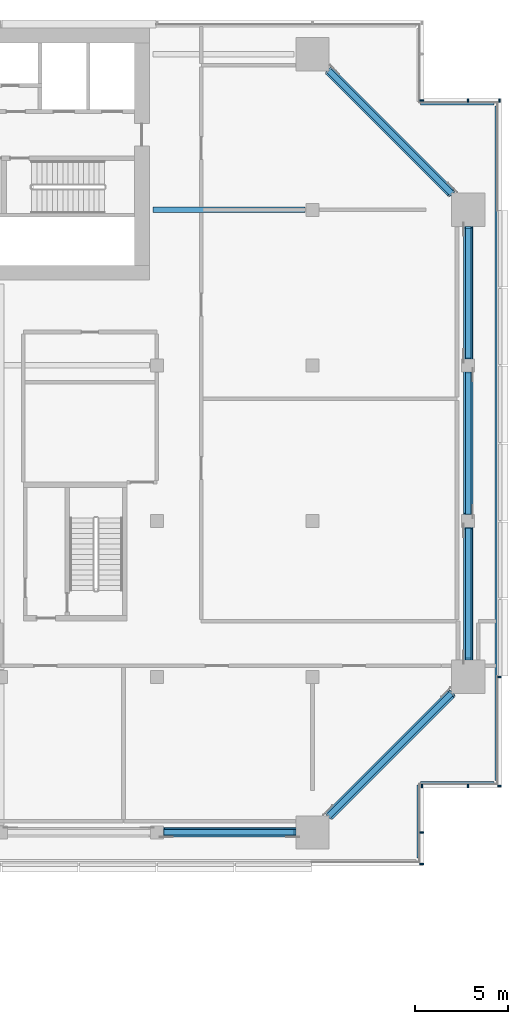
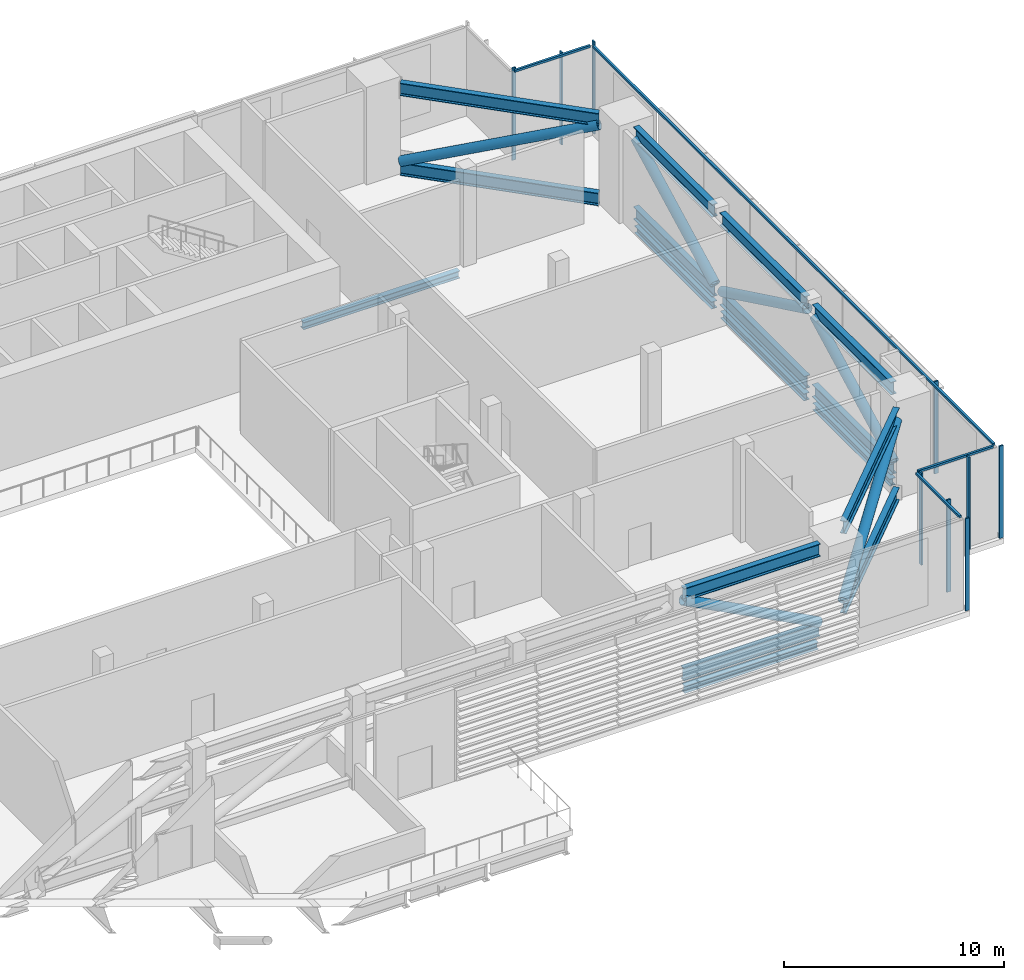
# One storey, part 9 of 29: 31 members, 5 beams, 5 elements without a shape of their own.
"""IFC4 building model written with IfcOpenShell, lengths in metres."""

from ifc_helpers import new_model, si_unit, direction, frame, origin, origin_2d, place, context, subcontext, project, spatial, rectangle, hollow_circle, i_section, extrude, material, material_profile, profile_set, type_object, element, aggregate, save


model = new_model("IFC4")

# Units and contexts
model_context = context("Model", 3, precision=1e-05, world=origin(), true_north=direction((0.0, 1.0)))
body_context = subcontext(model_context, "Body", "Model", "MODEL_VIEW")
ifc_project = project(units=[si_unit("LENGTHUNIT", "METRE"), si_unit("AREAUNIT", "SQUARE_METRE"), si_unit("VOLUMEUNIT", "CUBIC_METRE"), si_unit("PLANEANGLEUNIT", "RADIAN"), si_unit("MASSUNIT", "GRAM", prefix="KILO")], contexts=[model_context])

# Site, building, storey
site_placement = place(None, origin())
site = spatial("IfcSite", under=ifc_project, at=site_placement, CompositionType="ELEMENT")
building_placement = place(site_placement, origin())
building = spatial("IfcBuilding", under=site, at=building_placement, Name="Saffron Gate Tower", CompositionType="ELEMENT")
storey_placement = place(building_placement, frame((0.0, 0.0, 142.050048828125)))
storey = spatial("IfcBuildingStorey", under=building, at=storey_placement, Name="L34", CompositionType="ELEMENT", Elevation=142.050048828125)

# Beams
ifc_material_1 = material(Name="Structural steel S355", Category="steel")
ifc_material_profile_1 = material_profile(ifc_material_1, i_section(OverallWidth=0.300048828125, OverallDepth=0.39990234375, WebThickness=0.013427734375, FlangeThickness=0.02392578125, FilletRadius=0.027099609375, at=origin_2d()))
ifc_profile_set_1 = profile_set([ifc_material_profile_1], Name="Structural steel S355")
beam_type_1 = type_object("IfcBeamType", Name="B2 HEB 400", PredefinedType="BEAM", material=ifc_profile_set_1)
beam_1_placement = place(storey_placement, frame((116.60009765625, 65.39990234375, -0.5), z_axis=(-1.0, 0.0, 0.0), x_axis=(0.0, -1.0, 0.0)))
element("IfcBeam", 1, at=beam_1_placement, inside=storey, type_object=beam_type_1, Name="B2 CORE TIE BEAM", PredefinedType="BEAM", context=body_context, shape_type="SweptSolid", body=[
    extrude(i_section(OverallWidth=0.300048828125, OverallDepth=0.39990234375, WebThickness=0.013427734375, FlangeThickness=0.02392578125, FilletRadius=0.027099609375, at=origin_2d()), origin(), (0.0, 0.0, 1.0), 8.2001953125),
])
ifc_material_profile_2 = material_profile(ifc_material_1, i_section(OverallWidth=0.300048828125, OverallDepth=0.39990234375, WebThickness=0.013427734375, FlangeThickness=0.02392578125, FilletRadius=0.027099609375, at=origin_2d()))
ifc_profile_set_2 = profile_set([ifc_material_profile_2], Name="Structural steel S355")
beam_type_2 = type_object("IfcBeamType", Name="B3 HEB 400", PredefinedType="SPANDREL", material=ifc_profile_set_2)
for number, where, z_axis, x_axis, name in (
    (2, (109.0, 31.800048828125, -0.5), (1.0, 0.0, 0.0), (0.0, 1.0, 0.0), "B3 SPANDREL BEAM"),
    (3, (125.39990234375, 41.199951171875, -0.5), (0.0, 1.0, 0.0), (-1.0, 0.0, 0.0), "B3 SPANDREL BEAM"),
):
    element("IfcBeam", number, at=place(storey_placement, frame(where, z_axis=z_axis, x_axis=x_axis)), inside=storey, type_object=beam_type_2, Name=name, PredefinedType="SPANDREL", context=body_context, shape_type="SweptSolid", body=[
        extrude(i_section(OverallWidth=0.300048828125, OverallDepth=0.39990234375, WebThickness=0.013427734375, FlangeThickness=0.02392578125, FilletRadius=0.027099609375, at=origin_2d()), origin(), (0.0, 0.0, 1.0), 7.0),
    ])
beam_2_placement = place(storey_placement, frame((125.39990234375, 49.0, -0.5), z_axis=(0.0, 1.0, 0.0), x_axis=(-1.0, 0.0, 0.0)))
element("IfcBeam", 4, at=beam_2_placement, inside=storey, type_object=beam_type_2, Name="B3 SPANDREL BEAM", PredefinedType="SPANDREL", context=body_context, shape_type="SweptSolid", body=[
    extrude(i_section(OverallWidth=0.300048828125, OverallDepth=0.39990234375, WebThickness=0.013427734375, FlangeThickness=0.02392578125, FilletRadius=0.027099609375, at=origin_2d()), origin(), (0.0, 0.0, 1.0), 7.60009765625),
])
beam_3_placement = place(storey_placement, frame((125.39990234375, 57.39990234375, -0.5), z_axis=(0.0, 1.0, 0.0), x_axis=(-1.0, 0.0, 0.0)))
element("IfcBeam", 5, at=beam_3_placement, inside=storey, type_object=beam_type_2, Name="B3 SPANDREL BEAM", PredefinedType="SPANDREL", context=body_context, shape_type="SweptSolid", body=[
    extrude(i_section(OverallWidth=0.300048828125, OverallDepth=0.39990234375, WebThickness=0.013427734375, FlangeThickness=0.02392578125, FilletRadius=0.027099609375, at=origin_2d()), origin(), (0.0, 0.0, 1.0), 7.0),
])

# Members
ifc_material_profile_3 = material_profile(ifc_material_1, i_section(OverallWidth=0.300048828125, OverallDepth=0.699951171875, WebThickness=0.01708984375, FlangeThickness=0.031982421875, FilletRadius=0.027099609375, at=origin_2d()))
ifc_profile_set_3 = profile_set([ifc_material_profile_3], Name="Structural steel S355")
member_type_1 = type_object("IfcMemberType", Name="BT1 HEB 700", PredefinedType="CHORD", material=ifc_profile_set_3)
for number, where, z_axis, x_axis, name in (
    (6, (108.949951171875, 31.800048828125, 4.77001953125), (1.0, 0.0, 0.0), (0.0, 1.0, 0.0), "BT1 BELT TRUSS TOP CHORD"),
    (7, (108.949951171875, 31.800048828125, 0.349853515625), (1.0, 0.0, 0.0), (0.0, 1.0, 0.0), "BT1 BELT TRUSS BOTTOM CHORD"),
):
    element("IfcMember", number, at=place(storey_placement, frame(where, z_axis=z_axis, x_axis=x_axis)), inside=storey, type_object=member_type_1, Name=name, PredefinedType="CHORD", context=body_context, shape_type="SweptSolid", body=[
        extrude(i_section(OverallWidth=0.300048828125, OverallDepth=0.699951171875, WebThickness=0.01708984375, FlangeThickness=0.031982421875, FilletRadius=0.027099609375, at=origin_2d()), origin(), (0.0, 0.0, 1.0), 7.150146484375),
    ])
for number, where, z_axis, x_axis, name in (
    (8, (125.39990234375, 41.10009765625, 4.77001953125), (0.0, 1.0, 0.0), (-1.0, 0.0, 0.0), "BT1 BELT TRUSS TOP CHORD"),
    (9, (125.39990234375, 41.10009765625, 0.349853515625), (0.0, 1.0, 0.0), (-1.0, 0.0, 0.0), "BT1 BELT TRUSS BOTTOM CHORD"),
):
    element("IfcMember", number, at=place(storey_placement, frame(where, z_axis=z_axis, x_axis=x_axis)), inside=storey, type_object=member_type_1, Name=name, PredefinedType="CHORD", context=body_context, shape_type="SweptSolid", body=[
        extrude(i_section(OverallWidth=0.300048828125, OverallDepth=0.699951171875, WebThickness=0.01708984375, FlangeThickness=0.031982421875, FilletRadius=0.027099609375, at=origin_2d()), origin(), (0.0, 0.0, 1.0), 7.14990234375),
    ])
for number, where, z_axis, x_axis, name in (
    (10, (125.39990234375, 48.949951171875, 4.77001953125), (0.0, 1.0, 0.0), (-1.0, 0.0, 0.0), "BT1 BELT TRUSS TOP CHORD"),
    (11, (125.39990234375, 48.949951171875, 0.349853515625), (0.0, 1.0, 0.0), (-1.0, 0.0, 0.0), "BT1 BELT TRUSS BOTTOM CHORD"),
):
    element("IfcMember", number, at=place(storey_placement, frame(where, z_axis=z_axis, x_axis=x_axis)), inside=storey, type_object=member_type_1, Name=name, PredefinedType="CHORD", context=body_context, shape_type="SweptSolid", body=[
        extrude(i_section(OverallWidth=0.300048828125, OverallDepth=0.699951171875, WebThickness=0.01708984375, FlangeThickness=0.031982421875, FilletRadius=0.027099609375, at=origin_2d()), origin(), (0.0, 0.0, 1.0), 7.699951171875),
    ])
for number, where, z_axis, x_axis, name in (
    (12, (125.39990234375, 57.35009765625, 4.77001953125), (0.0, 1.0, 0.0), (-1.0, 0.0, 0.0), "BT1 BELT TRUSS TOP CHORD"),
    (13, (125.39990234375, 57.35009765625, 0.349853515625), (0.0, 1.0, 0.0), (-1.0, 0.0, 0.0), "BT1 BELT TRUSS BOTTOM CHORD"),
):
    element("IfcMember", number, at=place(storey_placement, frame(where, z_axis=z_axis, x_axis=x_axis)), inside=storey, type_object=member_type_1, Name=name, PredefinedType="CHORD", context=body_context, shape_type="SweptSolid", body=[
        extrude(i_section(OverallWidth=0.300048828125, OverallDepth=0.699951171875, WebThickness=0.01708984375, FlangeThickness=0.031982421875, FilletRadius=0.027099609375, at=origin_2d()), origin(), (0.0, 0.0, 1.0), 7.14990234375),
    ])
for number, where, z_axis, x_axis, name in (
    (14, (117.89990234375, 32.699951171875, 4.77001953125), (0.707106781187, 0.707106781187, 0.0), (-0.707106781187, 0.707106781187, 0.0), "BT1 BELT TRUSS TOP CHORD"),
    (15, (117.89990234375, 32.699951171875, 0.349853515625), (0.707106781187, 0.707106781187, 0.0), (-0.707106781187, 0.707106781187, 0.0), "BT1 BELT TRUSS BOTTOM CHORD"),
):
    element("IfcMember", number, at=place(storey_placement, frame(where, z_axis=z_axis, x_axis=x_axis)), inside=storey, type_object=member_type_1, Name=name, PredefinedType="CHORD", context=body_context, shape_type="SweptSolid", body=[
        extrude(i_section(OverallWidth=0.300048828125, OverallDepth=0.699951171875, WebThickness=0.01708984375, FlangeThickness=0.031982421875, FilletRadius=0.027099609375, at=origin_2d()), origin(), (0.0, 0.0, 1.0), 9.333984375),
    ])
for number, where, z_axis, x_axis, name in (
    (16, (117.89990234375, 72.89990234375, 4.77001953125), (0.707119859409, -0.707093702722, 0.0), (0.707093702722, 0.707119859409, 0.0), "BT1 BELT TRUSS TOP CHORD"),
    (17, (117.89990234375, 72.89990234375, 0.349853515625), (0.707119859409, -0.707093702722, 0.0), (0.707093702722, 0.707119859409, 0.0), "BT1 BELT TRUSS BOTTOM CHORD"),
):
    element("IfcMember", number, at=place(storey_placement, frame(where, z_axis=z_axis, x_axis=x_axis)), inside=storey, type_object=member_type_1, Name=name, PredefinedType="CHORD", context=body_context, shape_type="SweptSolid", body=[
        extrude(i_section(OverallWidth=0.300048828125, OverallDepth=0.699951171875, WebThickness=0.01708984375, FlangeThickness=0.031982421875, FilletRadius=0.027099609375, at=origin_2d()), origin(), (0.0, 0.0, 1.0), 9.333740234375),
    ])
ifc_material_profile_4 = material_profile(ifc_material_1, hollow_circle(Radius=0.25390625, WallThickness=0.01611328125, at=origin_2d()))
ifc_profile_set_4 = profile_set([ifc_material_profile_4], Name="Structural steel S355")
member_type_2 = type_object("IfcMemberType", Name="BT5 CHS 508x16", PredefinedType="BRACE", material=ifc_profile_set_4)
member_1_placement = place(storey_placement, frame((116.10009765625, 31.800048828125, 0.699951171875), z_axis=(-0.887120569255, 0.0, 0.461537751007), x_axis=(0.0, -1.0, 0.0)))
element("IfcMember", 18, at=member_1_placement, inside=storey, type_object=member_type_2, Name="BT5 BELT TRUSS DIAGONAL", PredefinedType="BRACE", context=body_context, shape_type="SweptSolid", body=[
    extrude(hollow_circle(Radius=0.25390625, WallThickness=0.01611328125, at=origin_2d()), origin(), (0.0, 0.0, 1.0), 8.06005859375),
])
member_2_placement = place(storey_placement, frame((125.39990234375, 41.10009765625, 0.699951171875), z_axis=(0.0, 0.887114116581, 0.461550153464), x_axis=(-1.0, 0.0, 0.0)))
element("IfcMember", 19, at=member_2_placement, inside=storey, type_object=member_type_2, Name="BT5 BELT TRUSS DIAGONAL", PredefinedType="BRACE", context=body_context, shape_type="SweptSolid", body=[
    extrude(hollow_circle(Radius=0.25390625, WallThickness=0.01611328125, at=origin_2d()), origin(), (0.0, 0.0, 1.0), 8.059814453125),
])
member_3_placement = place(storey_placement, frame((125.39990234375, 56.64990234375, 0.699951171875), z_axis=(0.0, -0.900425561848, 0.435010123526), x_axis=(1.0, 0.0, 0.0)))
element("IfcMember", 20, at=member_3_placement, inside=storey, type_object=member_type_2, Name="BT5 BELT TRUSS DIAGONAL", PredefinedType="BRACE", context=body_context, shape_type="SweptSolid", body=[
    extrude(hollow_circle(Radius=0.25390625, WallThickness=0.01611328125, at=origin_2d()), origin(), (0.0, 0.0, 1.0), 8.551513671875),
])
member_4_placement = place(storey_placement, frame((125.39990234375, 57.35009765625, 0.699951171875), z_axis=(0.0, 0.887114116581, 0.461550153464), x_axis=(-1.0, 0.0, 0.0)))
element("IfcMember", 21, at=member_4_placement, inside=storey, type_object=member_type_2, Name="BT5 BELT TRUSS DIAGONAL", PredefinedType="BRACE", context=body_context, shape_type="SweptSolid", body=[
    extrude(hollow_circle(Radius=0.25390625, WallThickness=0.01611328125, at=origin_2d()), origin(), (0.0, 0.0, 1.0), 8.059814453125),
])
for number, where, z_axis, x_axis, name in (
    (22, (117.89990234375, 32.699951171875, 0.699951171875), (0.656861874819, 0.656861874819, 0.370222844811), (-0.707106781187, 0.707106781187, 0.0), "BT5 BELT TRUSS DIAGONAL"),
    (23, (117.89990234375, 72.89990234375, 0.699951171875), (0.65687235851, -0.656848060501, 0.370228753666), (0.707093702722, 0.707119859409, 0.0), "BT5 BELT TRUSS DIAGONAL"),
):
    element("IfcMember", number, at=place(storey_placement, frame(where, z_axis=z_axis, x_axis=x_axis)), inside=storey, type_object=member_type_2, Name=name, PredefinedType="BRACE", context=body_context, shape_type="SweptSolid", body=[
        extrude(hollow_circle(Radius=0.25390625, WallThickness=0.01611328125, at=origin_2d()), origin(), (0.0, 0.0, 1.0), 10.0478515625),
    ])

# Curtain wall, member
ifc_material_2 = material(Name="Aluminium, bronze anodised", Category="aluminium")
curtain_wall_type = type_object("IfcCurtainWallType", Name="CWS6 curtain wall tall storeys", PredefinedType="NOTDEFINED", material=ifc_material_2)
curtain_wall_1_placement = place(storey_placement, origin())
curtain_wall_1 = element("IfcCurtainWall", 24, at=curtain_wall_1_placement, inside=storey, type_object=curtain_wall_type, Name="CWS6 run 2", PredefinedType="NOTDEFINED")
ifc_material_profile_5 = material_profile(ifc_material_2, rectangle(XDim=0.1201171875, YDim=0.1201171875, at=origin_2d()))
ifc_profile_set_5 = profile_set([ifc_material_profile_5], Name="Aluminium, bronze anodised")
member_type_3 = type_object("IfcMemberType", Name="CWS6 head transom", PredefinedType="USERDEFINED", material=ifc_profile_set_5)
member_5_placement = place(storey_placement, frame((122.7119140625, 30.407958984375, 5.06005859375), z_axis=(0.0, 1.0, 0.0), x_axis=(-1.0, 0.0, 0.0)))
member_5 = element("IfcMember", 25, at=member_5_placement, type_object=member_type_3, Name="CWS6 head transom", ObjectType="TRANSOM", PredefinedType="USERDEFINED", context=body_context, shape_type="SweptSolid", body=[
    extrude(rectangle(XDim=0.1201171875, YDim=0.1201171875, at=origin_2d()), origin(), (0.0, 0.0, 1.0), 3.9599609375),
])

curtain_wall_2_placement = place(storey_placement, origin())
curtain_wall_2 = element("IfcCurtainWall", 26, at=curtain_wall_2_placement, inside=storey, type_object=curtain_wall_type, Name="CWS6 run 3", PredefinedType="NOTDEFINED")
member_6_placement = place(storey_placement, frame((122.83203125, 34.488037109375, 5.06005859375), z_axis=(1.0, 0.0, 0.0), x_axis=(0.0, 1.0, 0.0)))
member_6 = element("IfcMember", 27, at=member_6_placement, type_object=member_type_3, Name="CWS6 head transom", ObjectType="TRANSOM", PredefinedType="USERDEFINED", context=body_context, shape_type="SweptSolid", body=[
    extrude(rectangle(XDim=0.1201171875, YDim=0.1201171875, at=origin_2d()), origin(), (0.0, 0.0, 1.0), 3.9599609375),
])

curtain_wall_3_placement = place(storey_placement, origin())
curtain_wall_3 = element("IfcCurtainWall", 28, at=curtain_wall_3_placement, inside=storey, type_object=curtain_wall_type, Name="CWS6 run 4", PredefinedType="NOTDEFINED")
member_7_placement = place(storey_placement, frame((126.912109375, 34.60791015625, 5.06005859375), z_axis=(0.0, 1.0, 0.0), x_axis=(-1.0, 0.0, 0.0)))
member_7 = element("IfcMember", 29, at=member_7_placement, type_object=member_type_3, Name="CWS6 head transom", ObjectType="TRANSOM", PredefinedType="USERDEFINED", context=body_context, shape_type="SweptSolid", body=[
    extrude(rectangle(XDim=0.1201171875, YDim=0.1201171875, at=origin_2d()), origin(), (0.0, 0.0, 1.0), 36.384033203125),
])

curtain_wall_4_placement = place(storey_placement, origin())
curtain_wall_4 = element("IfcCurtainWall", 30, at=curtain_wall_4_placement, inside=storey, type_object=curtain_wall_type, Name="CWS6 run 5", PredefinedType="NOTDEFINED")
member_8_placement = place(storey_placement, frame((126.7919921875, 71.112060546875, 5.06005859375), z_axis=(-1.0, 0.0, 0.0), x_axis=(0.0, -1.0, 0.0)))
member_8 = element("IfcMember", 31, at=member_8_placement, type_object=member_type_3, Name="CWS6 head transom", ObjectType="TRANSOM", PredefinedType="USERDEFINED", context=body_context, shape_type="SweptSolid", body=[
    extrude(rectangle(XDim=0.1201171875, YDim=0.1201171875, at=origin_2d()), origin(), (0.0, 0.0, 1.0), 3.9599609375),
])

# Member
ifc_material_profile_6 = material_profile(ifc_material_2, rectangle(XDim=0.199951171875, YDim=0.080078125, at=origin_2d()))
ifc_profile_set_6 = profile_set([ifc_material_profile_6], Name="Aluminium, bronze anodised")
member_type_4 = type_object("IfcMemberType", Name="CWS6 mullion 80x200", PredefinedType="MULLION", material=ifc_profile_set_6)
member_9_placement = place(storey_placement, frame((122.89990234375, 30.10009765625, 0.0), z_axis=(0.0, 0.0, 1.0), x_axis=(-1.0, 0.0, 0.0)))
member_9 = element("IfcMember", 32, at=member_9_placement, type_object=member_type_4, Name="CWS6 mullion 1", PredefinedType="MULLION", context=body_context, shape_type="SweptSolid", body=[
    extrude(rectangle(XDim=0.199951171875, YDim=0.080078125, at=origin_2d()), origin(), (0.0, 0.0, 1.0), 5.119873046875),
])

member_10_placement = place(storey_placement, frame((122.89990234375, 31.800048828125, 0.0), z_axis=(0.0, 0.0, 1.0), x_axis=(-1.0, 0.0, 0.0)))
member_10 = element("IfcMember", 33, at=member_10_placement, type_object=member_type_4, Name="CWS6 mullion 2", PredefinedType="MULLION", context=body_context, shape_type="SweptSolid", body=[
    extrude(rectangle(XDim=0.199951171875, YDim=0.080078125, at=origin_2d()), origin(), (0.0, 0.0, 1.0), 5.119873046875),
])

aggregate(curtain_wall_1, [member_9, member_10, member_5])

member_11_placement = place(storey_placement, frame((122.89990234375, 34.300048828125, 0.0), z_axis=(0.0, 0.0, 1.0), x_axis=(0.0, 1.0, 0.0)))
member_11 = element("IfcMember", 34, at=member_11_placement, type_object=member_type_4, Name="CWS6 mullion 1", PredefinedType="MULLION", context=body_context, shape_type="SweptSolid", body=[
    extrude(rectangle(XDim=0.199951171875, YDim=0.080078125, at=origin_2d()), origin(), (0.0, 0.0, 1.0), 5.119873046875),
])

member_12_placement = place(storey_placement, frame((125.39990234375, 34.300048828125, 0.0), z_axis=(0.0, 0.0, 1.0), x_axis=(0.0, 1.0, 0.0)))
member_12 = element("IfcMember", 35, at=member_12_placement, type_object=member_type_4, Name="CWS6 mullion 2", PredefinedType="MULLION", context=body_context, shape_type="SweptSolid", body=[
    extrude(rectangle(XDim=0.199951171875, YDim=0.080078125, at=origin_2d()), origin(), (0.0, 0.0, 1.0), 5.119873046875),
])

aggregate(curtain_wall_2, [member_11, member_12, member_6])

member_13_placement = place(storey_placement, frame((127.10009765625, 34.300048828125, 0.0), z_axis=(0.0, 0.0, 1.0), x_axis=(-1.0, 0.0, 0.0)))
member_13 = element("IfcMember", 36, at=member_13_placement, type_object=member_type_4, Name="CWS6 mullion 1", PredefinedType="MULLION", context=body_context, shape_type="SweptSolid", body=[
    extrude(rectangle(XDim=0.199951171875, YDim=0.080078125, at=origin_2d()), origin(), (0.0, 0.0, 1.0), 5.119873046875),
])

member_14_placement = place(storey_placement, frame((127.10009765625, 40.199951171875, 0.0), z_axis=(0.0, 0.0, 1.0), x_axis=(-1.0, 0.0, 0.0)))
member_14 = element("IfcMember", 37, at=member_14_placement, type_object=member_type_4, Name="CWS6 mullion 2", PredefinedType="MULLION", context=body_context, shape_type="SweptSolid", body=[
    extrude(rectangle(XDim=0.199951171875, YDim=0.080078125, at=origin_2d()), origin(), (0.0, 0.0, 1.0), 5.119873046875),
])

aggregate(curtain_wall_3, [member_13, member_14, member_7])

member_15_placement = place(storey_placement, frame((127.10009765625, 71.300048828125, 0.0), z_axis=(0.0, 0.0, 1.0), x_axis=(0.0, -1.0, 0.0)))
member_15 = element("IfcMember", 38, at=member_15_placement, type_object=member_type_4, Name="CWS6 mullion 1", PredefinedType="MULLION", context=body_context, shape_type="SweptSolid", body=[
    extrude(rectangle(XDim=0.199951171875, YDim=0.080078125, at=origin_2d()), origin(), (0.0, 0.0, 1.0), 5.119873046875),
])

member_16_placement = place(storey_placement, frame((125.39990234375, 71.300048828125, 0.0), z_axis=(0.0, 0.0, 1.0), x_axis=(0.0, -1.0, 0.0)))
member_16 = element("IfcMember", 39, at=member_16_placement, type_object=member_type_4, Name="CWS6 mullion 2", PredefinedType="MULLION", context=body_context, shape_type="SweptSolid", body=[
    extrude(rectangle(XDim=0.199951171875, YDim=0.080078125, at=origin_2d()), origin(), (0.0, 0.0, 1.0), 5.119873046875),
])

aggregate(curtain_wall_4, [member_15, member_16, member_8])

# Curtain wall, member
curtain_wall_5_placement = place(storey_placement, origin())
curtain_wall_5 = element("IfcCurtainWall", 40, at=curtain_wall_5_placement, inside=storey, type_object=curtain_wall_type, Name="CWS6 run 6", PredefinedType="NOTDEFINED")
member_17_placement = place(storey_placement, frame((122.89990234375, 71.300048828125, 0.0), z_axis=(0.0, 0.0, 1.0), x_axis=(-1.0, 0.0, 0.0)))
member_17 = element("IfcMember", 41, at=member_17_placement, type_object=member_type_4, Name="CWS6 mullion 1", PredefinedType="MULLION", context=body_context, shape_type="SweptSolid", body=[
    extrude(rectangle(XDim=0.199951171875, YDim=0.080078125, at=origin_2d()), origin(), (0.0, 0.0, 1.0), 5.119873046875),
])
aggregate(curtain_wall_5, [member_17])

save(model, "model.ifc")
